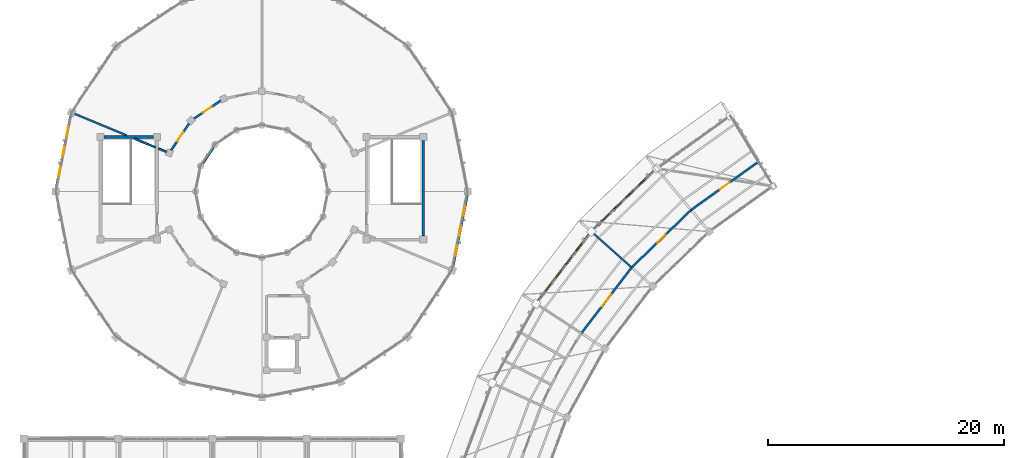
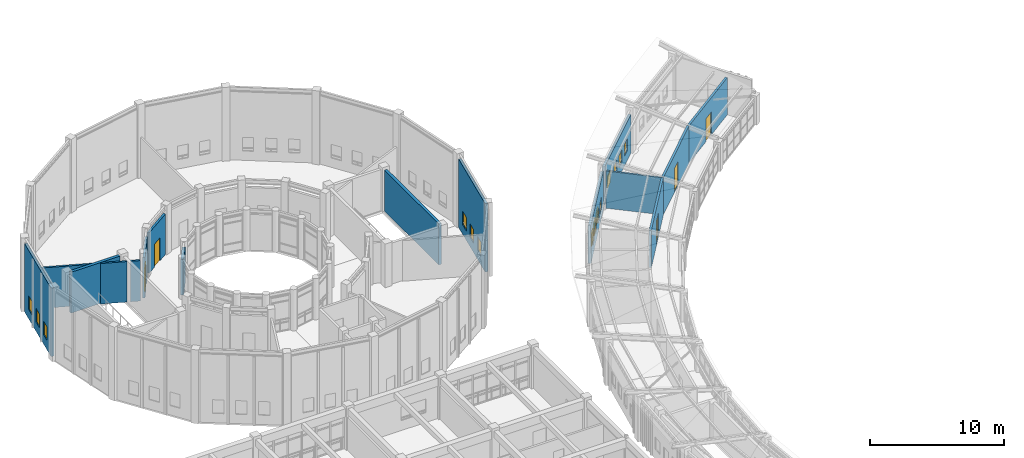
# One storey, part 128 of 149: 16 walls, 14 windows, 5 doors, 19 openings.
"""IFC4 building model written with IfcOpenShell, lengths in metres."""

from ifc_helpers import new_model, si_unit, direction, frame, frame_2d, origin, place, context, subcontext, project, spatial, rectangle, extrude, material, layer, layer_set, type_object, element, fill, save


model = new_model("IFC4")

# Units and contexts
model_context = context("Model", 3, precision=1e-05, world=origin(), true_north=direction((0.0, 1.0)))
body_context = subcontext(model_context, "Body", "Model", "MODEL_VIEW")
ifc_project = project(units=[si_unit("LENGTHUNIT", "METRE"), si_unit("AREAUNIT", "SQUARE_METRE"), si_unit("VOLUMEUNIT", "CUBIC_METRE"), si_unit("PLANEANGLEUNIT", "RADIAN"), si_unit("MASSUNIT", "GRAM", prefix="KILO")], contexts=[model_context])

# Site, building, storey
site_placement = place(None, origin())
site = spatial("IfcSite", under=ifc_project, at=site_placement, CompositionType="ELEMENT")
building_placement = place(site_placement, origin())
building = spatial("IfcBuilding", under=site, at=building_placement, Name="Celadon Cloister-Ring School", CompositionType="ELEMENT")
storey_placement = place(building_placement, frame((0.0, 0.0, 12.5)))
storey = spatial("IfcBuildingStorey", under=building, at=storey_placement, Name="L03", CompositionType="ELEMENT", Elevation=12.5)

# Wall
ifc_material_1 = material(Name="Rendered concrete blockwork", Category="masonry")
ifc_layer_1 = layer(ifc_material_1, 0.239990234375)
ifc_layer_set_1 = layer_set([ifc_layer_1], Name="Rendered concrete blockwork")
wall_type_1 = type_object("IfcWallType", Name="WT-EX3", PredefinedType="SOLIDWALL", material=ifc_layer_set_1)
wall_1_placement = place(storey_placement, frame((16.0859375, 100.72998046875, 0.0), z_axis=(0.0, 0.0, 1.0), x_axis=(-0.555287078904, -0.83165874011, 0.0)))
element("IfcWall", 1, at=wall_1_placement, inside=storey, type_object=wall_type_1, Name="Exterior Wall 0279", PredefinedType="SOLIDWALL", context=body_context, shape_type="SweptSolid", body=[
    extrude(rectangle(XDim=1.631591796875, YDim=0.239990234375, at=frame_2d((0.81591796875, 0.0))), origin(), (0.0, 0.0, 1.0), 3.27490234375),
])

# Wall, openings, windows
ifc_material_2 = material(Name="Perforated terracotta clay brick masonry", Category="masonry")
ifc_layer_2 = layer(ifc_material_2, 0.219970703125)
ifc_layer_set_2 = layer_set([ifc_layer_2], Name="Perforated terracotta clay brick masonry")
wall_type_2 = type_object("IfcWallType", Name="WT-EX4", PredefinedType="SOLIDWALL", material=ifc_layer_set_2)
wall_2_placement = place(storey_placement, frame((48.39111328125, 93.800048828125, 0.0), z_axis=(0.0, 0.0, 1.0), x_axis=(0.71857824473, 0.695446120272, 0.0)))
wall_2 = element("IfcWall", 2, at=wall_2_placement, inside=storey, type_object=wall_type_2, Name="Exterior Wall 0175", PredefinedType="SOLIDWALL", context=body_context, shape_type="SweptSolid", body=[
    extrude(rectangle(XDim=7.081787109375, YDim=0.219970703125, at=frame_2d((3.541015625, 0.0))), origin(), (0.0, 0.0, 1.0), 3.537109375),
])
opening_1_placement = place(wall_2_placement, frame((1.01611328125, 0.0, 0.85009765625)))
opening_1 = element("IfcOpeningElement", 3, at=opening_1_placement, cuts=wall_2, Name="Opening WN-01", PredefinedType="OPENING", context=body_context, shape_type="SweptSolid", body=[
    extrude(rectangle(XDim=0.800048828125, YDim=1.10009765625, at=frame_2d((0.39990234375, 0.550048828125))), frame((0.0, 0.1201171875, 0.0), z_axis=(0.0, -1.0, 0.0), x_axis=(1.0, 0.0, 0.0)), (0.0, 0.0, 1.0), 0.239990234375),
])
opening_2_placement = place(wall_2_placement, frame((2.43310546875, 0.0, 0.85009765625)))
opening_2 = element("IfcOpeningElement", 4, at=opening_2_placement, cuts=wall_2, Name="Opening WN-01", PredefinedType="OPENING", context=body_context, shape_type="SweptSolid", body=[
    extrude(rectangle(XDim=0.800048828125, YDim=1.10009765625, at=frame_2d((0.39990234375, 0.550048828125))), frame((0.0, 0.1201171875, 0.0), z_axis=(0.0, -1.0, 0.0), x_axis=(1.0, 0.0, 0.0)), (0.0, 0.0, 1.0), 0.239990234375),
])
opening_3_placement = place(wall_2_placement, frame((3.84912109375, 0.0, 0.85009765625)))
opening_3 = element("IfcOpeningElement", 5, at=opening_3_placement, cuts=wall_2, Name="Opening WN-01", PredefinedType="OPENING", context=body_context, shape_type="SweptSolid", body=[
    extrude(rectangle(XDim=0.800048828125, YDim=1.10009765625, at=frame_2d((0.39990234375, 0.550048828125))), frame((0.0, 0.1201171875, 0.0), z_axis=(0.0, -1.0, 0.0), x_axis=(1.0, 0.0, 0.0)), (0.0, 0.0, 1.0), 0.239990234375),
])
opening_4_placement = place(wall_2_placement, frame((5.26611328125, 0.0, 0.85009765625)))
opening_4 = element("IfcOpeningElement", 6, at=opening_4_placement, cuts=wall_2, Name="Opening WN-01", PredefinedType="OPENING", context=body_context, shape_type="SweptSolid", body=[
    extrude(rectangle(XDim=0.800048828125, YDim=1.10009765625, at=frame_2d((0.39990234375, 0.550048828125))), frame((0.0, 0.1201171875, 0.0), z_axis=(0.0, -1.0, 0.0), x_axis=(1.0, 0.0, 0.0)), (0.0, 0.0, 1.0), 0.239990234375),
])
ifc_material_3 = material(Name="Tempered laminated insulating glass", Category="glass")
window_type_1 = type_object("IfcWindowType", Name="WN-01", PartitioningType="SINGLE_PANEL", PredefinedType="WINDOW", material=ifc_material_3)
window_1_placement = place(opening_1_placement, origin())
window_1 = element("IfcWindow", 7, at=window_1_placement, inside=storey, type_object=window_type_1, Name="Window 0447", OverallHeight=1.10009765625, OverallWidth=0.800048828125, PartitioningType="SINGLE_PANEL", PredefinedType="WINDOW", context=body_context, shape_type="SweptSolid", body=[
    extrude(rectangle(XDim=0.800048828125, YDim=1.10009765625, at=frame_2d((0.39990234375, 0.550048828125))), frame((0.0, 0.030029296875, 0.0), z_axis=(0.0, -1.0, 0.0), x_axis=(1.0, 0.0, 0.0)), (0.0, 0.0, 1.0), 0.06005859375),
])
fill(opening_1, window_1)
window_2_placement = place(opening_2_placement, origin())
window_2 = element("IfcWindow", 8, at=window_2_placement, inside=storey, type_object=window_type_1, Name="Window 0448", OverallHeight=1.10009765625, OverallWidth=0.800048828125, PartitioningType="SINGLE_PANEL", PredefinedType="WINDOW", context=body_context, shape_type="SweptSolid", body=[
    extrude(rectangle(XDim=0.800048828125, YDim=1.10009765625, at=frame_2d((0.39990234375, 0.550048828125))), frame((0.0, 0.030029296875, 0.0), z_axis=(0.0, -1.0, 0.0), x_axis=(1.0, 0.0, 0.0)), (0.0, 0.0, 1.0), 0.06005859375),
])
fill(opening_2, window_2)
window_3_placement = place(opening_3_placement, origin())
window_3 = element("IfcWindow", 9, at=window_3_placement, inside=storey, type_object=window_type_1, Name="Window 0449", OverallHeight=1.10009765625, OverallWidth=0.800048828125, PartitioningType="SINGLE_PANEL", PredefinedType="WINDOW", context=body_context, shape_type="SweptSolid", body=[
    extrude(rectangle(XDim=0.800048828125, YDim=1.10009765625, at=frame_2d((0.39990234375, 0.550048828125))), frame((0.0, 0.030029296875, 0.0), z_axis=(0.0, -1.0, 0.0), x_axis=(1.0, 0.0, 0.0)), (0.0, 0.0, 1.0), 0.06005859375),
])
fill(opening_3, window_3)
window_4_placement = place(opening_4_placement, origin())
window_4 = element("IfcWindow", 10, at=window_4_placement, inside=storey, type_object=window_type_1, Name="Window 0450", OverallHeight=1.10009765625, OverallWidth=0.800048828125, PartitioningType="SINGLE_PANEL", PredefinedType="WINDOW", context=body_context, shape_type="SweptSolid", body=[
    extrude(rectangle(XDim=0.800048828125, YDim=1.10009765625, at=frame_2d((0.39990234375, 0.550048828125))), frame((0.0, 0.030029296875, 0.0), z_axis=(0.0, -1.0, 0.0), x_axis=(1.0, 0.0, 0.0)), (0.0, 0.0, 1.0), 0.06005859375),
])
fill(opening_4, window_4)

wall_3_placement = place(storey_placement, frame((43.673095703125, 87.714111328125, 0.0), z_axis=(0.0, 0.0, 1.0), x_axis=(0.607995054755, 0.793940812273, 0.0)))
wall_3 = element("IfcWall", 11, at=wall_3_placement, inside=storey, type_object=wall_type_2, Name="Exterior Wall 0176", PredefinedType="SOLIDWALL", context=body_context, shape_type="SweptSolid", body=[
    extrude(rectangle(XDim=7.08203125, YDim=0.219970703125, at=frame_2d((3.541015625, 0.0))), origin(), (0.0, 0.0, 1.0), 3.537109375),
])
opening_5_placement = place(wall_3_placement, frame((1.01611328125, 0.0, 0.85009765625)))
opening_5 = element("IfcOpeningElement", 12, at=opening_5_placement, cuts=wall_3, Name="Opening WN-01", PredefinedType="OPENING", context=body_context, shape_type="SweptSolid", body=[
    extrude(rectangle(XDim=0.800048828125, YDim=1.10009765625, at=frame_2d((0.39990234375, 0.550048828125))), frame((0.0, 0.1201171875, 0.0), z_axis=(0.0, -1.0, 0.0), x_axis=(1.0, 0.0, 0.0)), (0.0, 0.0, 1.0), 0.239990234375),
])
opening_6_placement = place(wall_3_placement, frame((2.43310546875, 0.0, 0.85009765625)))
opening_6 = element("IfcOpeningElement", 13, at=opening_6_placement, cuts=wall_3, Name="Opening WN-01", PredefinedType="OPENING", context=body_context, shape_type="SweptSolid", body=[
    extrude(rectangle(XDim=0.800048828125, YDim=1.10009765625, at=frame_2d((0.39990234375, 0.550048828125))), frame((0.0, 0.1201171875, 0.0), z_axis=(0.0, -1.0, 0.0), x_axis=(1.0, 0.0, 0.0)), (0.0, 0.0, 1.0), 0.239990234375),
])
opening_7_placement = place(wall_3_placement, frame((3.84912109375, 0.0, 0.85009765625)))
opening_7 = element("IfcOpeningElement", 14, at=opening_7_placement, cuts=wall_3, Name="Opening WN-01", PredefinedType="OPENING", context=body_context, shape_type="SweptSolid", body=[
    extrude(rectangle(XDim=0.800048828125, YDim=1.10009765625, at=frame_2d((0.39990234375, 0.550048828125))), frame((0.0, 0.1201171875, 0.0), z_axis=(0.0, -1.0, 0.0), x_axis=(1.0, 0.0, 0.0)), (0.0, 0.0, 1.0), 0.239990234375),
])
opening_8_placement = place(wall_3_placement, frame((5.26611328125, 0.0, 0.85009765625)))
opening_8 = element("IfcOpeningElement", 15, at=opening_8_placement, cuts=wall_3, Name="Opening WN-01", PredefinedType="OPENING", context=body_context, shape_type="SweptSolid", body=[
    extrude(rectangle(XDim=0.800048828125, YDim=1.10009765625, at=frame_2d((0.39990234375, 0.550048828125))), frame((0.0, 0.1201171875, 0.0), z_axis=(0.0, -1.0, 0.0), x_axis=(1.0, 0.0, 0.0)), (0.0, 0.0, 1.0), 0.239990234375),
])
window_5_placement = place(opening_5_placement, origin())
window_5 = element("IfcWindow", 16, at=window_5_placement, inside=storey, type_object=window_type_1, Name="Window 0451", OverallHeight=1.10009765625, OverallWidth=0.800048828125, PartitioningType="SINGLE_PANEL", PredefinedType="WINDOW", context=body_context, shape_type="SweptSolid", body=[
    extrude(rectangle(XDim=0.800048828125, YDim=1.10009765625, at=frame_2d((0.39990234375, 0.550048828125))), frame((0.0, 0.030029296875, 0.0), z_axis=(0.0, -1.0, 0.0), x_axis=(1.0, 0.0, 0.0)), (0.0, 0.0, 1.0), 0.06005859375),
])
fill(opening_5, window_5)
window_6_placement = place(opening_6_placement, origin())
window_6 = element("IfcWindow", 17, at=window_6_placement, inside=storey, type_object=window_type_1, Name="Window 0452", OverallHeight=1.10009765625, OverallWidth=0.800048828125, PartitioningType="SINGLE_PANEL", PredefinedType="WINDOW", context=body_context, shape_type="SweptSolid", body=[
    extrude(rectangle(XDim=0.800048828125, YDim=1.10009765625, at=frame_2d((0.39990234375, 0.550048828125))), frame((0.0, 0.030029296875, 0.0), z_axis=(0.0, -1.0, 0.0), x_axis=(1.0, 0.0, 0.0)), (0.0, 0.0, 1.0), 0.06005859375),
])
fill(opening_6, window_6)
window_7_placement = place(opening_7_placement, origin())
window_7 = element("IfcWindow", 18, at=window_7_placement, inside=storey, type_object=window_type_1, Name="Window 0453", OverallHeight=1.10009765625, OverallWidth=0.800048828125, PartitioningType="SINGLE_PANEL", PredefinedType="WINDOW", context=body_context, shape_type="SweptSolid", body=[
    extrude(rectangle(XDim=0.800048828125, YDim=1.10009765625, at=frame_2d((0.39990234375, 0.550048828125))), frame((0.0, 0.030029296875, 0.0), z_axis=(0.0, -1.0, 0.0), x_axis=(1.0, 0.0, 0.0)), (0.0, 0.0, 1.0), 0.06005859375),
])
fill(opening_7, window_7)
window_8_placement = place(opening_8_placement, origin())
window_8 = element("IfcWindow", 19, at=window_8_placement, inside=storey, type_object=window_type_1, Name="Window 0454", OverallHeight=1.10009765625, OverallWidth=0.800048828125, PartitioningType="SINGLE_PANEL", PredefinedType="WINDOW", context=body_context, shape_type="SweptSolid", body=[
    extrude(rectangle(XDim=0.800048828125, YDim=1.10009765625, at=frame_2d((0.39990234375, 0.550048828125))), frame((0.0, 0.030029296875, 0.0), z_axis=(0.0, -1.0, 0.0), x_axis=(1.0, 0.0, 0.0)), (0.0, 0.0, 1.0), 0.06005859375),
])
fill(opening_8, window_8)

wall_4_placement = place(storey_placement, frame((2.763916015625, 97.322998046875, 0.0), z_axis=(0.0, 0.0, 1.0), x_axis=(0.195164813773, 0.980770460131, 0.0)))
wall_4 = element("IfcWall", 20, at=wall_4_placement, inside=storey, type_object=wall_type_2, Name="Exterior Wall 0280", PredefinedType="SOLIDWALL", context=body_context, shape_type="SweptSolid", body=[
    extrude(rectangle(XDim=6.169677734375, YDim=0.219970703125, at=frame_2d((3.0849609375, 0.0))), origin(), (0.0, 0.0, 1.0), 6.25),
])
opening_9_placement = place(wall_4_placement, frame((0.931884765625, 0.0, 0.85009765625)))
opening_9 = element("IfcOpeningElement", 21, at=opening_9_placement, cuts=wall_4, Name="Opening WN-11", PredefinedType="OPENING", context=body_context, shape_type="SweptSolid", body=[
    extrude(rectangle(XDim=0.85009765625, YDim=1.25, at=frame_2d((0.425048828125, 0.625))), frame((0.0, 0.1201171875, 0.0), z_axis=(0.0, -1.0, 0.0), x_axis=(1.0, 0.0, 0.0)), (0.0, 0.0, 1.0), 0.239990234375),
])
opening_10_placement = place(wall_4_placement, frame((2.659912109375, 0.0, 0.85009765625)))
opening_10 = element("IfcOpeningElement", 22, at=opening_10_placement, cuts=wall_4, Name="Opening WN-11", PredefinedType="OPENING", context=body_context, shape_type="SweptSolid", body=[
    extrude(rectangle(XDim=0.85009765625, YDim=1.25, at=frame_2d((0.425048828125, 0.625))), frame((0.0, 0.1201171875, 0.0), z_axis=(0.0, -1.0, 0.0), x_axis=(1.0, 0.0, 0.0)), (0.0, 0.0, 1.0), 0.239990234375),
])
opening_11_placement = place(wall_4_placement, frame((4.386962890625, 0.0, 0.85009765625)))
opening_11 = element("IfcOpeningElement", 23, at=opening_11_placement, cuts=wall_4, Name="Opening WN-11", PredefinedType="OPENING", context=body_context, shape_type="SweptSolid", body=[
    extrude(rectangle(XDim=0.85009765625, YDim=1.25, at=frame_2d((0.425048828125, 0.625))), frame((0.0, 0.1201171875, 0.0), z_axis=(0.0, -1.0, 0.0), x_axis=(1.0, 0.0, 0.0)), (0.0, 0.0, 1.0), 0.239990234375),
])
ifc_material_4 = material(Name="Tempered laminated insulating glass", Category="glass")
window_type_2 = type_object("IfcWindowType", Name="WN-11", PartitioningType="SINGLE_PANEL", PredefinedType="WINDOW", material=ifc_material_4)
window_9_placement = place(opening_9_placement, origin())
window_9 = element("IfcWindow", 24, at=window_9_placement, inside=storey, type_object=window_type_2, Name="Window 0735", OverallHeight=1.25, OverallWidth=0.85009765625, PartitioningType="SINGLE_PANEL", PredefinedType="WINDOW", context=body_context, shape_type="SweptSolid", body=[
    extrude(rectangle(XDim=0.85009765625, YDim=1.25, at=frame_2d((0.425048828125, 0.625))), frame((0.0, 0.030029296875, 0.0), z_axis=(0.0, -1.0, 0.0), x_axis=(1.0, 0.0, 0.0)), (0.0, 0.0, 1.0), 0.06005859375),
])
fill(opening_9, window_9)
window_10_placement = place(opening_10_placement, origin())
window_10 = element("IfcWindow", 25, at=window_10_placement, inside=storey, type_object=window_type_2, Name="Window 0736", OverallHeight=1.25, OverallWidth=0.85009765625, PartitioningType="SINGLE_PANEL", PredefinedType="WINDOW", context=body_context, shape_type="SweptSolid", body=[
    extrude(rectangle(XDim=0.85009765625, YDim=1.25, at=frame_2d((0.425048828125, 0.625))), frame((0.0, 0.030029296875, 0.0), z_axis=(0.0, -1.0, 0.0), x_axis=(1.0, 0.0, 0.0)), (0.0, 0.0, 1.0), 0.06005859375),
])
fill(opening_10, window_10)
window_11_placement = place(opening_11_placement, origin())
window_11 = element("IfcWindow", 26, at=window_11_placement, inside=storey, type_object=window_type_2, Name="Window 0737", OverallHeight=1.25, OverallWidth=0.85009765625, PartitioningType="SINGLE_PANEL", PredefinedType="WINDOW", context=body_context, shape_type="SweptSolid", body=[
    extrude(rectangle(XDim=0.85009765625, YDim=1.25, at=frame_2d((0.425048828125, 0.625))), frame((0.0, 0.030029296875, 0.0), z_axis=(0.0, -1.0, 0.0), x_axis=(1.0, 0.0, 0.0)), (0.0, 0.0, 1.0), 0.06005859375),
])
fill(opening_11, window_11)

wall_5_placement = place(storey_placement, frame((37.635986328125, 96.677001953125, 0.0), z_axis=(0.0, 0.0, 1.0), x_axis=(-0.195164813773, -0.980770460131, 0.0)))
wall_5 = element("IfcWall", 27, at=wall_5_placement, inside=storey, type_object=wall_type_2, Name="Exterior Wall 0290", PredefinedType="SOLIDWALL", context=body_context, shape_type="SweptSolid", body=[
    extrude(rectangle(XDim=6.169677734375, YDim=0.219970703125, at=frame_2d((3.0849609375, 0.0))), origin(), (0.0, 0.0, 1.0), 6.25),
])
opening_12_placement = place(wall_5_placement, frame((0.931884765625, 0.0, 0.85009765625)))
opening_12 = element("IfcOpeningElement", 28, at=opening_12_placement, cuts=wall_5, Name="Opening WN-11", PredefinedType="OPENING", context=body_context, shape_type="SweptSolid", body=[
    extrude(rectangle(XDim=0.85009765625, YDim=1.25, at=frame_2d((0.425048828125, 0.625))), frame((0.0, 0.1201171875, 0.0), z_axis=(0.0, -1.0, 0.0), x_axis=(1.0, 0.0, 0.0)), (0.0, 0.0, 1.0), 0.239990234375),
])
opening_13_placement = place(wall_5_placement, frame((2.659912109375, 0.0, 0.85009765625)))
opening_13 = element("IfcOpeningElement", 29, at=opening_13_placement, cuts=wall_5, Name="Opening WN-11", PredefinedType="OPENING", context=body_context, shape_type="SweptSolid", body=[
    extrude(rectangle(XDim=0.85009765625, YDim=1.25, at=frame_2d((0.425048828125, 0.625))), frame((0.0, 0.1201171875, 0.0), z_axis=(0.0, -1.0, 0.0), x_axis=(1.0, 0.0, 0.0)), (0.0, 0.0, 1.0), 0.239990234375),
])
opening_14_placement = place(wall_5_placement, frame((4.386962890625, 0.0, 0.85009765625)))
opening_14 = element("IfcOpeningElement", 30, at=opening_14_placement, cuts=wall_5, Name="Opening WN-11", PredefinedType="OPENING", context=body_context, shape_type="SweptSolid", body=[
    extrude(rectangle(XDim=0.85009765625, YDim=1.25, at=frame_2d((0.425048828125, 0.625))), frame((0.0, 0.1201171875, 0.0), z_axis=(0.0, -1.0, 0.0), x_axis=(1.0, 0.0, 0.0)), (0.0, 0.0, 1.0), 0.239990234375),
])
window_12_placement = place(opening_12_placement, origin())
window_12 = element("IfcWindow", 31, at=window_12_placement, inside=storey, type_object=window_type_2, Name="Window 0759", OverallHeight=1.25, OverallWidth=0.85009765625, PartitioningType="SINGLE_PANEL", PredefinedType="WINDOW", context=body_context, shape_type="SweptSolid", body=[
    extrude(rectangle(XDim=0.85009765625, YDim=1.25, at=frame_2d((0.425048828125, 0.625))), frame((0.0, 0.030029296875, 0.0), z_axis=(0.0, -1.0, 0.0), x_axis=(1.0, 0.0, 0.0)), (0.0, 0.0, 1.0), 0.06005859375),
])
fill(opening_12, window_12)
window_13_placement = place(opening_13_placement, origin())
window_13 = element("IfcWindow", 32, at=window_13_placement, inside=storey, type_object=window_type_2, Name="Window 0760", OverallHeight=1.25, OverallWidth=0.85009765625, PartitioningType="SINGLE_PANEL", PredefinedType="WINDOW", context=body_context, shape_type="SweptSolid", body=[
    extrude(rectangle(XDim=0.85009765625, YDim=1.25, at=frame_2d((0.425048828125, 0.625))), frame((0.0, 0.030029296875, 0.0), z_axis=(0.0, -1.0, 0.0), x_axis=(1.0, 0.0, 0.0)), (0.0, 0.0, 1.0), 0.06005859375),
])
fill(opening_13, window_13)
window_14_placement = place(opening_14_placement, origin())
window_14 = element("IfcWindow", 33, at=window_14_placement, inside=storey, type_object=window_type_2, Name="Window 0761", OverallHeight=1.25, OverallWidth=0.85009765625, PartitioningType="SINGLE_PANEL", PredefinedType="WINDOW", context=body_context, shape_type="SweptSolid", body=[
    extrude(rectangle(XDim=0.85009765625, YDim=1.25, at=frame_2d((0.425048828125, 0.625))), frame((0.0, 0.030029296875, 0.0), z_axis=(0.0, -1.0, 0.0), x_axis=(1.0, 0.0, 0.0)), (0.0, 0.0, 1.0), 0.06005859375),
])
fill(opening_14, window_14)

# Wall, opening, door
ifc_material_5 = material(Name="Plastered hollow concrete masonry", Category="masonry")
ifc_layer_3 = layer(ifc_material_5, 0.179931640625)
ifc_layer_set_3 = layer_set([ifc_layer_3], Name="Plastered hollow concrete masonry")
wall_type_3 = type_object("IfcWallType", Name="WT-PT2", PredefinedType="PARTITIONING", material=ifc_layer_set_3)
wall_6_placement = place(storey_placement, frame((62.258056640625, 99.444091796875, 0.0), z_axis=(0.0, 0.0, 1.0), x_axis=(-0.813442184371, -0.581645779393, 0.0)))
wall_6 = element("IfcWall", 34, at=wall_6_placement, inside=storey, type_object=wall_type_3, Name="Interior Wall 0609", PredefinedType="PARTITIONING", context=body_context, shape_type="SweptSolid", body=[
    extrude(rectangle(XDim=6.911376953125, YDim=0.179931640625, at=frame_2d((3.45556640625, 0.0))), origin(), (0.0, 0.0, 1.0), 3.39599609375),
])
opening_15_placement = place(wall_6_placement, frame((2.89892578125, 0.0, 0.0)))
opening_15 = element("IfcOpeningElement", 35, at=opening_15_placement, cuts=wall_6, Name="Opening D-0206", PredefinedType="OPENING", context=body_context, shape_type="SweptSolid", body=[
    extrude(rectangle(XDim=1.0, YDim=2.10009765625, at=frame_2d((0.5, 1.050048828125))), frame((0.0, 0.10009765625, 0.0), z_axis=(0.0, -1.0, 0.0), x_axis=(1.0, 0.0, 0.0)), (0.0, 0.0, 1.0), 0.199951171875),
])
ifc_material_6 = material(Name="Solid-core fire-rated hardwood leaf", Category="wood")
door_type_1 = type_object("IfcDoorType", Name="DT-04", OperationType="NOTDEFINED", PredefinedType="DOOR", material=ifc_material_6)
door_1_placement = place(opening_15_placement, origin())
door_1 = element("IfcDoor", 36, at=door_1_placement, inside=storey, type_object=door_type_1, Name="Door D-0206", OperationType="SINGLE_SWING_RIGHT", OverallHeight=2.10009765625, OverallWidth=1.0, PredefinedType="DOOR", context=body_context, shape_type="SweptSolid", body=[
    extrude(rectangle(XDim=1.0, YDim=2.10009765625, at=frame_2d((0.5, 1.050048828125))), frame((0.0, 0.02490234375, 0.0), z_axis=(0.0, -1.0, 0.0), x_axis=(1.0, 0.0, 0.0)), (0.0, 0.0, 1.0), 0.050048828125),
])
fill(opening_15, door_1)

wall_7_placement = place(storey_placement, frame((56.635986328125, 95.424072265625, 0.0), z_axis=(0.0, 0.0, 1.0), x_axis=(-0.718550040998, -0.695475260942, 0.0)))
wall_7 = element("IfcWall", 37, at=wall_7_placement, inside=storey, type_object=wall_type_3, Name="Interior Wall 0610", PredefinedType="PARTITIONING", context=body_context, shape_type="SweptSolid", body=[
    extrude(rectangle(XDim=7.025390625, YDim=0.179931640625, at=frame_2d((3.5126953125, 0.0))), origin(), (0.0, 0.0, 1.0), 3.39697265625),
])
opening_16_placement = place(wall_7_placement, frame((3.02294921875, 0.0, 0.0)))
opening_16 = element("IfcOpeningElement", 38, at=opening_16_placement, cuts=wall_7, Name="Opening D-0207", PredefinedType="OPENING", context=body_context, shape_type="SweptSolid", body=[
    extrude(rectangle(XDim=0.97998046875, YDim=2.199951171875, at=frame_2d((0.489990234375, 1.10009765625))), frame((0.0, 0.10009765625, 0.0), z_axis=(0.0, -1.0, 0.0), x_axis=(1.0, 0.0, 0.0)), (0.0, 0.0, 1.0), 0.199951171875),
])
ifc_material_7 = material(Name="Solid-core fire-rated hardwood leaf", Category="wood")
door_type_2 = type_object("IfcDoorType", Name="DT-07", OperationType="NOTDEFINED", PredefinedType="DOOR", material=ifc_material_7)
door_2_placement = place(opening_16_placement, origin())
door_2 = element("IfcDoor", 39, at=door_2_placement, inside=storey, type_object=door_type_2, Name="Door D-0207", OperationType="SINGLE_SWING_LEFT", OverallHeight=2.199951171875, OverallWidth=0.97998046875, PredefinedType="DOOR", context=body_context, shape_type="SweptSolid", body=[
    extrude(rectangle(XDim=0.97998046875, YDim=2.199951171875, at=frame_2d((0.489990234375, 1.10009765625))), frame((0.0, 0.02490234375, 0.0), z_axis=(0.0, -1.0, 0.0), x_axis=(1.0, 0.0, 0.0)), (0.0, 0.0, 1.0), 0.050048828125),
])
fill(opening_16, door_2)

wall_8_placement = place(storey_placement, frame((51.587890625, 90.5380859375, 0.0), z_axis=(0.0, 0.0, 1.0), x_axis=(-0.607932411016, -0.793988780548, 0.0)))
wall_8 = element("IfcWall", 40, at=wall_8_placement, inside=storey, type_object=wall_type_3, Name="Interior Wall 0611", PredefinedType="PARTITIONING", context=body_context, shape_type="SweptSolid", body=[
    extrude(rectangle(XDim=7.025390625, YDim=0.179931640625, at=frame_2d((3.5126953125, 0.0))), origin(), (0.0, 0.0, 1.0), 3.39697265625),
])
opening_17_placement = place(wall_8_placement, frame((2.887939453125, 0.0, 0.0)))
opening_17 = element("IfcOpeningElement", 41, at=opening_17_placement, cuts=wall_8, Name="Opening D-0208", PredefinedType="OPENING", context=body_context, shape_type="SweptSolid", body=[
    extrude(rectangle(XDim=1.25, YDim=2.199951171875, at=frame_2d((0.625, 1.10009765625))), frame((0.0, 0.10009765625, 0.0), z_axis=(0.0, -1.0, 0.0), x_axis=(1.0, 0.0, 0.0)), (0.0, 0.0, 1.0), 0.199951171875),
])
ifc_material_8 = material(Name="Galvanised fire-rated hollow steel leaf", Category="steel")
door_type_3 = type_object("IfcDoorType", Name="DT-10", OperationType="NOTDEFINED", PredefinedType="DOOR", material=ifc_material_8)
door_3_placement = place(opening_17_placement, origin())
door_3 = element("IfcDoor", 42, at=door_3_placement, inside=storey, type_object=door_type_3, Name="Door D-0208", OperationType="SINGLE_SWING_RIGHT", OverallHeight=2.199951171875, OverallWidth=1.25, PredefinedType="DOOR", context=body_context, shape_type="SweptSolid", body=[
    extrude(rectangle(XDim=1.25, YDim=2.199951171875, at=frame_2d((0.625, 1.10009765625))), frame((0.0, 0.02490234375, 0.0), z_axis=(0.0, -1.0, 0.0), x_axis=(1.0, 0.0, 0.0)), (0.0, 0.0, 1.0), 0.050048828125),
])
fill(opening_17, door_3)

wall_9_placement = place(storey_placement, frame((16.720947265625, 104.701904296875, 0.0), z_axis=(0.0, 0.0, 1.0), x_axis=(-0.831318045056, -0.555797002478, 0.0)))
wall_9 = element("IfcWall", 43, at=wall_9_placement, inside=storey, type_object=wall_type_3, Name="Interior Wall 0752", PredefinedType="PARTITIONING", context=body_context, shape_type="SweptSolid", body=[
    extrude(rectangle(XDim=2.772705078125, YDim=0.179931640625, at=frame_2d((1.38623046875, 0.0))), origin(), (0.0, 0.0, 1.0), 3.699951171875),
])
opening_18_placement = place(wall_9_placement, frame((0.926025390625, 0.0, 0.0)))
opening_18 = element("IfcOpeningElement", 44, at=opening_18_placement, cuts=wall_9, Name="Opening D-0273", PredefinedType="OPENING", context=body_context, shape_type="SweptSolid", body=[
    extrude(rectangle(XDim=0.919921875, YDim=2.10009765625, at=frame_2d((0.4599609375, 1.050048828125))), frame((0.0, 0.10009765625, 0.0), z_axis=(0.0, -1.0, 0.0), x_axis=(1.0, 0.0, 0.0)), (0.0, 0.0, 1.0), 0.199951171875),
])
ifc_material_9 = material(Name="Solid-core fire-rated hardwood leaf", Category="wood")
door_type_4 = type_object("IfcDoorType", Name="DT-02", OperationType="NOTDEFINED", PredefinedType="DOOR", material=ifc_material_9)
door_4_placement = place(opening_18_placement, origin())
door_4 = element("IfcDoor", 45, at=door_4_placement, inside=storey, type_object=door_type_4, Name="Door D-0273", OperationType="SINGLE_SWING_LEFT", OverallHeight=2.10009765625, OverallWidth=0.919921875, PredefinedType="DOOR", context=body_context, shape_type="SweptSolid", body=[
    extrude(rectangle(XDim=0.919921875, YDim=2.10009765625, at=frame_2d((0.4599609375, 1.050048828125))), frame((0.0, 0.02490234375, 0.0), z_axis=(0.0, -1.0, 0.0), x_axis=(1.0, 0.0, 0.0)), (0.0, 0.0, 1.0), 0.050048828125),
])
fill(opening_18, door_4)

wall_10_placement = place(storey_placement, frame((14.0390625, 102.783935546875, 0.0), z_axis=(0.0, 0.0, 1.0), x_axis=(-0.555797002478, -0.831318045056, 0.0)))
wall_10 = element("IfcWall", 46, at=wall_10_placement, inside=storey, type_object=wall_type_3, Name="Interior Wall 0753", PredefinedType="PARTITIONING", context=body_context, shape_type="SweptSolid", body=[
    extrude(rectangle(XDim=2.772705078125, YDim=0.179931640625, at=frame_2d((1.38623046875, 0.0))), origin(), (0.0, 0.0, 1.0), 3.699951171875),
])
opening_19_placement = place(wall_10_placement, frame((0.926025390625, 0.0, 0.0)))
opening_19 = element("IfcOpeningElement", 47, at=opening_19_placement, cuts=wall_10, Name="Opening D-0274", PredefinedType="OPENING", context=body_context, shape_type="SweptSolid", body=[
    extrude(rectangle(XDim=0.919921875, YDim=2.10009765625, at=frame_2d((0.4599609375, 1.050048828125))), frame((0.0, 0.10009765625, 0.0), z_axis=(0.0, -1.0, 0.0), x_axis=(1.0, 0.0, 0.0)), (0.0, 0.0, 1.0), 0.199951171875),
])
door_5_placement = place(opening_19_placement, origin())
door_5 = element("IfcDoor", 48, at=door_5_placement, inside=storey, type_object=door_type_4, Name="Door D-0274", OperationType="SINGLE_SWING_RIGHT", OverallHeight=2.10009765625, OverallWidth=0.919921875, PredefinedType="DOOR", context=body_context, shape_type="SweptSolid", body=[
    extrude(rectangle(XDim=0.919921875, YDim=2.10009765625, at=frame_2d((0.4599609375, 1.050048828125))), frame((0.0, 0.02490234375, 0.0), z_axis=(0.0, -1.0, 0.0), x_axis=(1.0, 0.0, 0.0)), (0.0, 0.0, 1.0), 0.050048828125),
])
fill(opening_19, door_5)

# Walls
ifc_material_10 = material(Name="Plastered hollow concrete masonry", Category="masonry")
ifc_layer_4 = layer(ifc_material_10, 0.159912109375)
ifc_layer_set_4 = layer_set([ifc_layer_4], Name="Plastered hollow concrete masonry")
wall_type_4 = type_object("IfcWallType", Name="WT-PT3", PredefinedType="PARTITIONING", material=ifc_layer_set_4)
wall_11_placement = place(storey_placement, frame((12.10009765625, 100.35498046875, 0.0), z_axis=(0.0, 0.0, 1.0), x_axis=(-0.924069600435, 0.382224245113, 0.0)))
element("IfcWall", 49, at=wall_11_placement, inside=storey, type_object=wall_type_4, Name="Interior Wall 0735", PredefinedType="PARTITIONING", context=body_context, shape_type="SweptSolid", body=[
    extrude(rectangle(XDim=0.732666015625, YDim=0.159912109375, at=frame_2d((0.3662109375, 0.0))), origin(), (0.0, 0.0, 1.0), 3.699951171875),
])
wall_12_placement = place(storey_placement, frame((11.177001953125, 100.737060546875, 0.0), z_axis=(0.0, 0.0, 1.0), x_axis=(-0.923817443679, 0.382833293686, 0.0)))
element("IfcWall", 50, at=wall_12_placement, inside=storey, type_object=wall_type_4, Name="Interior Wall 0736", PredefinedType="PARTITIONING", context=body_context, shape_type="SweptSolid", body=[
    extrude(rectangle(XDim=1.985107421875, YDim=0.159912109375, at=frame_2d((0.99267578125, 0.0))), origin(), (0.0, 0.0, 1.0), 3.699951171875),
])
wall_13_placement = place(storey_placement, frame((8.7490234375, 101.742919921875, 0.0), z_axis=(0.0, 0.0, 1.0), x_axis=(-0.923877739946, 0.382687759972, 0.0)))
element("IfcWall", 51, at=wall_13_placement, inside=storey, type_object=wall_type_4, Name="Interior Wall 0737", PredefinedType="PARTITIONING", context=body_context, shape_type="SweptSolid", body=[
    extrude(rectangle(XDim=4.8134765625, YDim=0.159912109375, at=frame_2d((2.40673828125, 0.0))), origin(), (0.0, 0.0, 1.0), 3.699951171875),
])
ifc_material_11 = material(Name="Acoustic mineral-wool drywall partition")
ifc_layer_5 = layer(ifc_material_11, 0.139892578125)
ifc_layer_set_5 = layer_set([ifc_layer_5], Name="Acoustic mineral-wool drywall partition")
wall_type_5 = type_object("IfcWallType", Name="WT-PT4", PredefinedType="PARTITIONING", material=ifc_layer_set_5)
wall_14_placement = place(storey_placement, frame((51.587890625, 90.5380859375, 0.0), z_axis=(0.0, 0.0, 1.0), x_axis=(-0.746752390412, 0.665102148105, 0.0)))
element("IfcWall", 52, at=wall_14_placement, inside=storey, type_object=wall_type_5, Name="Interior Wall 0591", PredefinedType="PARTITIONING", context=body_context, shape_type="SweptSolid", body=[
    extrude(rectangle(XDim=4.287841796875, YDim=0.139892578125, at=frame_2d((2.14404296875, 0.0))), origin(), (0.0, 0.0, 1.0), 3.39697265625),
])
ifc_material_12 = material(Name="Concrete C40/50", Category="concrete")
ifc_layer_6 = layer(ifc_material_12, 0.239990234375)
ifc_layer_set_6 = layer_set([ifc_layer_6], Name="Concrete C40/50")
wall_type_6 = type_object("IfcWallType", Name="WT-SH1", PredefinedType="SHEAR", material=ifc_layer_set_6)
wall_15_placement = place(storey_placement, frame((11.008056640625, 101.6201171875, 0.0), z_axis=(0.0, 0.0, 1.0), x_axis=(-1.0, 0.0, 0.0)))
element("IfcWall", 53, at=wall_15_placement, inside=storey, type_object=wall_type_6, Name="Interior Wall 0096", PredefinedType="SHEAR", context=body_context, shape_type="SweptSolid", body=[
    extrude(rectangle(XDim=4.216064453125, YDim=0.239990234375, at=frame_2d((2.10791015625, 0.0))), origin(), (0.0, 0.0, 1.0), 3.739990234375),
])
wall_16_placement = place(storey_placement, frame((33.89990234375, 101.327880859375, 0.0), z_axis=(0.0, 0.0, 1.0), x_axis=(0.0, -1.0, 0.0)))
element("IfcWall", 54, at=wall_16_placement, inside=storey, type_object=wall_type_6, Name="Interior Wall 0110", PredefinedType="SHEAR", context=body_context, shape_type="SweptSolid", body=[
    extrude(rectangle(XDim=8.135986328125, YDim=0.239990234375, at=frame_2d((4.06787109375, 0.0))), origin(), (0.0, 0.0, 1.0), 3.739990234375),
])

save(model, "model.ifc")
